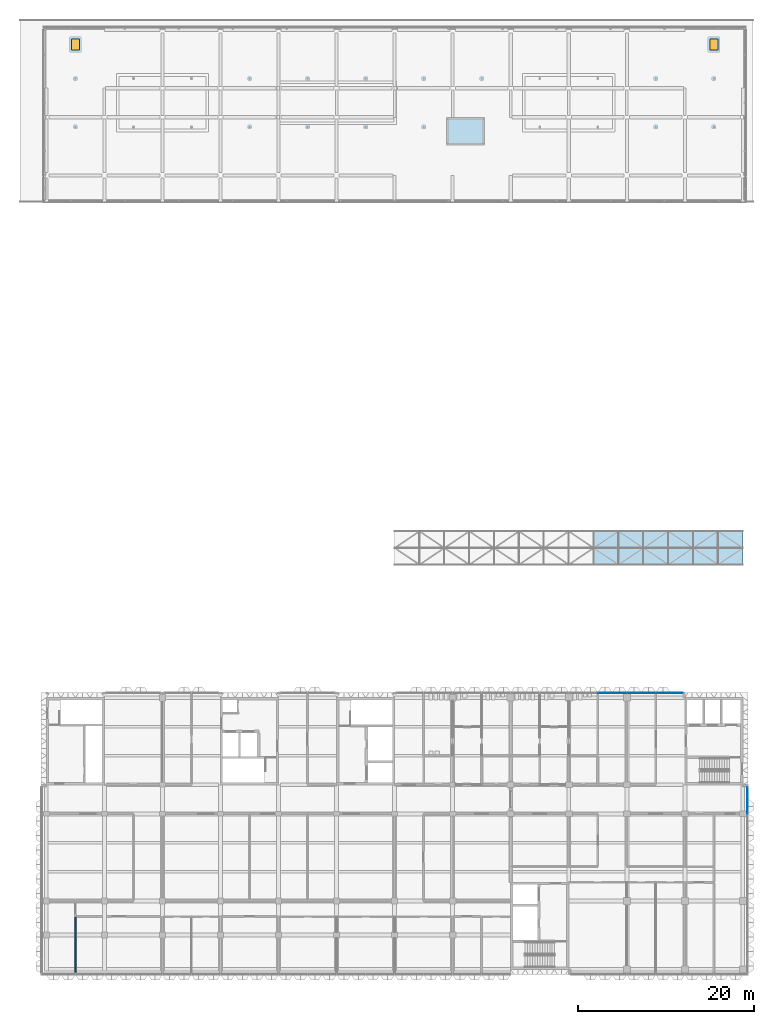
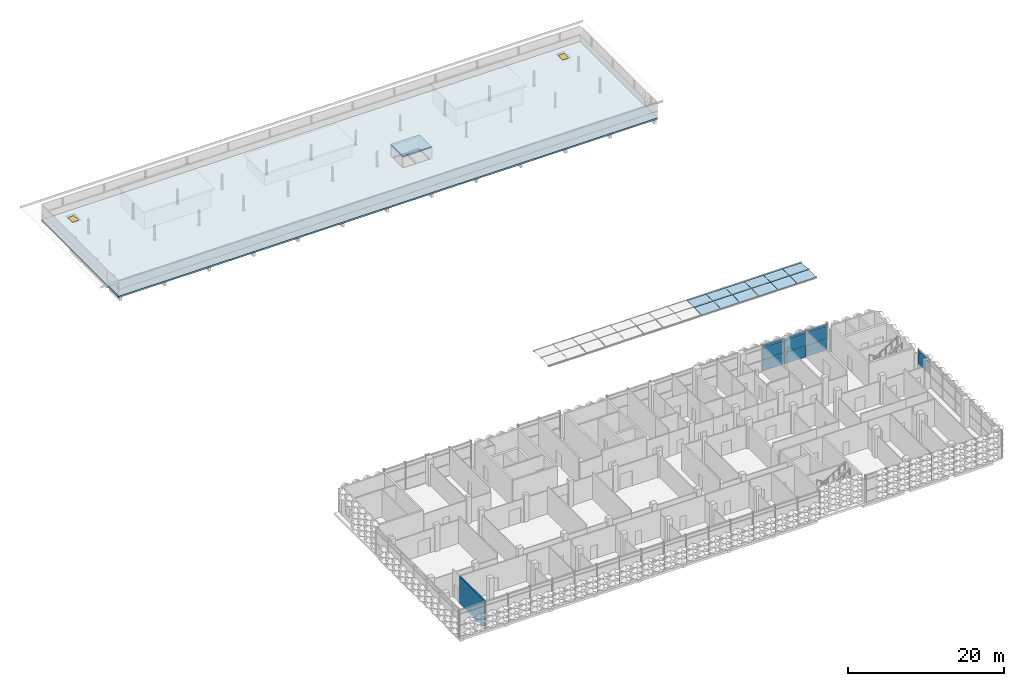
# One storey, part 17 of 61: 23 plates, 2 slabs, 2 windows, 1 wall, 2 openings, 2 elements without a shape of their own.
"""IFC4 building model written with IfcOpenShell, lengths in metres."""

from ifc_helpers import new_model, si_unit, direction, frame, frame_2d, origin, origin_2d, place, context, subcontext, project, spatial, polyline, rectangle, outline, extrude, material, layer, layer_set, type_object, element, fill, aggregate, save


model = new_model("IFC4")

# Units and contexts
model_context = context("Model", 3, precision=1e-05, world=origin(), true_north=direction((0.0, 1.0)))
body_context = subcontext(model_context, "Body", "Model", "MODEL_VIEW")
ifc_project = project(units=[si_unit("LENGTHUNIT", "METRE"), si_unit("AREAUNIT", "SQUARE_METRE"), si_unit("VOLUMEUNIT", "CUBIC_METRE"), si_unit("PLANEANGLEUNIT", "RADIAN"), si_unit("MASSUNIT", "GRAM", prefix="KILO")], contexts=[model_context])

# Site, building, storey
site_placement = place(None, origin())
site = spatial("IfcSite", under=ifc_project, at=site_placement, CompositionType="ELEMENT")
building_placement = place(site_placement, origin())
building = spatial("IfcBuilding", under=site, at=building_placement, Name="Lantern Court Research Institute", CompositionType="ELEMENT")
storey_placement = place(building_placement, frame((0.0, 0.0, 23.39990234375)))
storey = spatial("IfcBuildingStorey", under=building, at=storey_placement, Name="L05", CompositionType="ELEMENT", Elevation=23.39990234375)

# Plates
ifc_material_1 = material(Name="Laminated low-emissivity glass", Category="glass")
ifc_layer_1 = layer(ifc_material_1, 0.035888671875)
ifc_layer_set_1 = layer_set([ifc_layer_1], Name="Laminated low-emissivity glass")
plate_type_1 = type_object("IfcPlateType", Name="Gridshell roof glazing panel 36", PredefinedType="SHEET", material=ifc_layer_set_1)
for number, where, z_axis, x_axis, name in (
    (1, (65.047119140625, 38.233154296875, 0.140869140625), (0.0, -0.050319241088, 0.998733184578), (-1.0, 0.0, 0.0), "Roof glazing panel"),
    (2, (65.047119140625, 40.13671875, 0.235595703125), (0.0, 0.050319241088, 0.998733184578), (-1.0, 0.0, 0.0), "Roof glazing panel"),
    (3, (67.875732421875, 38.233154296875, 0.140869140625), (0.0, -0.050319241088, 0.998733184578), (-1.0, 0.0, 0.0), "Roof glazing panel"),
    (4, (67.875732421875, 40.13671875, 0.235595703125), (0.0, 0.050319241088, 0.998733184578), (-1.0, 0.0, 0.0), "Roof glazing panel"),
    (5, (70.704345703125, 38.233154296875, 0.140869140625), (0.0, -0.050319241088, 0.998733184578), (-1.0, 0.0, 0.0), "Roof glazing panel"),
    (6, (70.704345703125, 40.13671875, 0.235595703125), (0.0, 0.050319241088, 0.998733184578), (-1.0, 0.0, 0.0), "Roof glazing panel"),
    (7, (73.532958984375, 38.233154296875, 0.140869140625), (0.0, -0.050319241088, 0.998733184578), (-1.0, 0.0, 0.0), "Roof glazing panel"),
    (8, (73.532958984375, 40.13671875, 0.235595703125), (0.0, 0.050319241088, 0.998733184578), (-1.0, 0.0, 0.0), "Roof glazing panel"),
):
    element("IfcPlate", number, at=place(storey_placement, frame(where, z_axis=z_axis, x_axis=x_axis)), inside=storey, type_object=plate_type_1, Name=name, PredefinedType="SHEET", context=body_context, shape_type="SweptSolid", body=[
        extrude(outline(polyline([(0.0, 0.0), (2.80859375, 0.0), (2.80859375, -1.8825117480404105), (0.0, -1.8825117480404105), (0.0, 0.0)])), origin(), (0.0, 0.0, -1.0), 0.035888671875),
    ])
for number, where, z_axis, x_axis, name in (
    (9, (76.361328125, 38.233154296875, 0.140869140625), (0.0, -0.050319241088, 0.998733184578), (-1.0, 0.0, 0.0), "Roof glazing panel"),
    (10, (76.361328125, 40.13671875, 0.235595703125), (0.0, 0.050319241088, 0.998733184578), (-1.0, 0.0, 0.0), "Roof glazing panel"),
):
    element("IfcPlate", number, at=place(storey_placement, frame(where, z_axis=z_axis, x_axis=x_axis)), inside=storey, type_object=plate_type_1, Name=name, PredefinedType="SHEET", context=body_context, shape_type="SweptSolid", body=[
        extrude(outline(polyline([(0.0, 0.0), (2.808349609375, 0.0), (2.808349609375, -1.8825117480404108), (0.0, -1.8825117480404108), (0.0, 0.0)])), origin(), (0.0, 0.0, -1.0), 0.035888671875),
    ])
for number, where, z_axis, x_axis, name in (
    (11, (79.18994140625, 38.233154296875, 0.140869140625), (0.0, -0.050319241088, 0.998733184578), (-1.0, 0.0, 0.0), "Roof glazing panel"),
    (12, (79.18994140625, 40.13671875, 0.235595703125), (0.0, 0.050319241088, 0.998733184578), (-1.0, 0.0, 0.0), "Roof glazing panel"),
):
    element("IfcPlate", number, at=place(storey_placement, frame(where, z_axis=z_axis, x_axis=x_axis)), inside=storey, type_object=plate_type_1, Name=name, PredefinedType="SHEET", context=body_context, shape_type="SweptSolid", body=[
        extrude(outline(polyline([(0.0, 0.0), (2.80859375, 0.0), (2.80859375, -1.8825117480404105), (0.0, -1.8825117480404105), (0.0, 0.0)])), origin(), (0.0, 0.0, -1.0), 0.035888671875),
    ])

# Curtain wall, plates
ifc_material_2 = material(Name="Aluminium alloy 6063-T6", Category="aluminium")
curtain_wall_type_1 = type_object("IfcCurtainWallType", Name="Curtain wall 19600 x 4200 x 150 aluminium frame", PredefinedType="NOTDEFINED", material=ifc_material_2)
curtain_wall_1_placement = place(storey_placement, origin())
curtain_wall_1 = element("IfcCurtainWall", 13, at=curtain_wall_1_placement, inside=storey, type_object=curtain_wall_type_1, Name="Curtain wall CW075", PredefinedType="NOTDEFINED")
ifc_material_3 = material(Name="Insulated aluminium spandrel panel", Category="aluminium")
ifc_layer_2 = layer(ifc_material_3, 0.06005859375)
ifc_layer_set_2 = layer_set([ifc_layer_2], Name="Insulated aluminium spandrel panel")
plate_type_2 = type_object("IfcPlateType", Name="Insulated spandrel panel 60 mm", PredefinedType="CURTAIN_PANEL", material=ifc_layer_set_2)
plate_1_placement = place(storey_placement, frame((64.35009765625, 23.625, 0.06005859375), z_axis=(0.0, 0.0, 1.0), x_axis=(1.0, 0.0, 0.0)))
plate_1 = element("IfcPlate", 14, at=plate_1_placement, type_object=plate_type_2, Name="CW075 spandrel panel 4.1", PredefinedType="CURTAIN_PANEL", context=body_context, shape_type="SweptSolid", body=[
    extrude(rectangle(XDim=3.239990234375, YDim=0.06005859375, at=origin_2d()), origin(), (0.0, 0.0, 1.0), 1.7099609375),
])
plate_2_placement = place(storey_placement, frame((67.64990234375, 23.625, 0.06005859375), z_axis=(0.0, 0.0, 1.0), x_axis=(1.0, 0.0, 0.0)))
plate_2 = element("IfcPlate", 15, at=plate_2_placement, type_object=plate_type_2, Name="CW075 spandrel panel 5.1", PredefinedType="CURTAIN_PANEL", context=body_context, shape_type="SweptSolid", body=[
    extrude(rectangle(XDim=3.239990234375, YDim=0.06005859375, at=origin_2d()), origin(), (0.0, 0.0, 1.0), 1.7099609375),
])
plate_3_placement = place(storey_placement, frame((70.8349609375, 23.625, 0.06005859375), z_axis=(0.0, 0.0, 1.0), x_axis=(1.0, 0.0, 0.0)))
plate_3 = element("IfcPlate", 16, at=plate_3_placement, type_object=plate_type_2, Name="CW075 spandrel panel 6.1", PredefinedType="CURTAIN_PANEL", context=body_context, shape_type="SweptSolid", body=[
    extrude(rectangle(XDim=3.010009765625, YDim=0.06005859375, at=origin_2d()), origin(), (0.0, 0.0, 1.0), 1.7099609375),
])
ifc_material_4 = material(Name="Laminated low-emissivity glass", Category="glass")
ifc_layer_3 = layer(ifc_material_4, 0.028076171875)
ifc_layer_set_3 = layer_set([ifc_layer_3], Name="Laminated low-emissivity glass")
plate_type_3 = type_object("IfcPlateType", Name="Laminated low-emissivity unit 28 mm", PredefinedType="CURTAIN_PANEL", material=ifc_layer_set_3)
plate_4_placement = place(storey_placement, frame((64.35009765625, 23.625, 1.830078125), z_axis=(0.0, 0.0, 1.0), x_axis=(1.0, 0.0, 0.0)))
plate_4 = element("IfcPlate", 17, at=plate_4_placement, type_object=plate_type_3, Name="CW075 glazed panel 4.2", PredefinedType="CURTAIN_PANEL", context=body_context, shape_type="SweptSolid", body=[
    extrude(rectangle(XDim=3.239990234375, YDim=0.028076171875, at=origin_2d()), origin(), (0.0, 0.0, 1.0), 1.739990234375),
])
plate_5_placement = place(storey_placement, frame((64.35009765625, 23.625, 3.6298828125), z_axis=(0.0, 0.0, 1.0), x_axis=(1.0, 0.0, 0.0)))
plate_5 = element("IfcPlate", 18, at=plate_5_placement, type_object=plate_type_3, Name="CW075 glazed panel 4.3", PredefinedType="CURTAIN_PANEL", context=body_context, shape_type="SweptSolid", body=[
    extrude(rectangle(XDim=3.239990234375, YDim=0.028076171875, at=origin_2d()), origin(), (0.0, 0.0, 1.0), 0.510009765625),
])
plate_6_placement = place(storey_placement, frame((67.64990234375, 23.625, 1.830078125), z_axis=(0.0, 0.0, 1.0), x_axis=(1.0, 0.0, 0.0)))
plate_6 = element("IfcPlate", 19, at=plate_6_placement, type_object=plate_type_3, Name="CW075 glazed panel 5.2", PredefinedType="CURTAIN_PANEL", context=body_context, shape_type="SweptSolid", body=[
    extrude(rectangle(XDim=3.239990234375, YDim=0.028076171875, at=origin_2d()), origin(), (0.0, 0.0, 1.0), 1.739990234375),
])
plate_7_placement = place(storey_placement, frame((67.64990234375, 23.625, 3.6298828125), z_axis=(0.0, 0.0, 1.0), x_axis=(1.0, 0.0, 0.0)))
plate_7 = element("IfcPlate", 20, at=plate_7_placement, type_object=plate_type_3, Name="CW075 glazed panel 5.3", PredefinedType="CURTAIN_PANEL", context=body_context, shape_type="SweptSolid", body=[
    extrude(rectangle(XDim=3.239990234375, YDim=0.028076171875, at=origin_2d()), origin(), (0.0, 0.0, 1.0), 0.510009765625),
])
plate_8_placement = place(storey_placement, frame((70.8349609375, 23.625, 1.830078125), z_axis=(0.0, 0.0, 1.0), x_axis=(1.0, 0.0, 0.0)))
plate_8 = element("IfcPlate", 21, at=plate_8_placement, type_object=plate_type_3, Name="CW075 glazed panel 6.2", PredefinedType="CURTAIN_PANEL", context=body_context, shape_type="SweptSolid", body=[
    extrude(rectangle(XDim=3.010009765625, YDim=0.028076171875, at=origin_2d()), origin(), (0.0, 0.0, 1.0), 1.739990234375),
])
plate_9_placement = place(storey_placement, frame((70.8349609375, 23.625, 3.6298828125), z_axis=(0.0, 0.0, 1.0), x_axis=(1.0, 0.0, 0.0)))
plate_9 = element("IfcPlate", 22, at=plate_9_placement, type_object=plate_type_3, Name="CW075 glazed panel 6.3", PredefinedType="CURTAIN_PANEL", context=body_context, shape_type="SweptSolid", body=[
    extrude(rectangle(XDim=3.010009765625, YDim=0.028076171875, at=origin_2d()), origin(), (0.0, 0.0, 1.0), 0.510009765625),
])
aggregate(curtain_wall_1, [plate_1, plate_4, plate_5, plate_2, plate_6, plate_7, plate_3, plate_8, plate_9])

# Slab
ifc_material_5 = material(Name="Concrete C35/45", Category="concrete")
ifc_layer_4 = layer(ifc_material_5, 0.199951171875)
ifc_layer_set_4 = layer_set([ifc_layer_4], Name="Concrete C35/45")
slab_type_1 = type_object("IfcSlabType", Name="RC lift overrun roof 200", PredefinedType="ROOF", material=ifc_layer_set_4)
slab_1_placement = place(storey_placement, frame((0.0, 0.0, 1.800048828125)))
element("IfcSlab", 23, at=slab_1_placement, inside=storey, type_object=slab_type_1, Name="Lift overrun roof of core WC-M", PredefinedType="ROOF", context=body_context, shape_type="SweptSolid", body=[
    extrude(outline(polyline([(45.5, 85.949951171875), (49.800048828125, 85.949951171875), (49.800048828125, 89.050048828125), (45.5, 89.050048828125), (45.5, 85.949951171875)])), origin(), (0.0, 0.0, 1.0), 0.199951171875),
])

# Slab, openings, windows
ifc_material_6 = material(Name="Concrete C35/45", Category="concrete")
ifc_layer_5 = layer(ifc_material_6, 0.25)
ifc_layer_set_5 = layer_set([ifc_layer_5], Name="Concrete C35/45")
slab_type_2 = type_object("IfcSlabType", Name="RC roof slab 250", PredefinedType="ROOF", material=ifc_layer_set_5)
slab_2_placement = place(storey_placement, frame((0.0, 0.0, -0.25)))
slab_2 = element("IfcSlab", 24, at=slab_2_placement, inside=storey, type_object=slab_type_2, Name="Roof slab L05 Write-up and Seminar Wing", PredefinedType="ROOF", context=body_context, shape_type="SweptSolid", body=[
    extrude(outline(polyline([(-0.300048828125, 99.0), (-0.300048828125, 82.5), (-0.300048828125, 82.199951171875), (-0.300048828125, 79.5), (79.5, 79.5), (79.5, 82.199951171875), (79.5, 82.5), (79.5, 99.0), (79.5, 99.300048828125), (-0.300048828125, 99.300048828125), (-0.300048828125, 99.0)]), holes=[polyline([(47.800048828125, 86.14990234375), (49.60009765625, 86.14990234375), (49.60009765625, 88.85009765625), (47.800048828125, 88.85009765625), (47.800048828125, 86.14990234375)]), polyline([(45.699951171875, 86.14990234375), (47.60009765625, 86.14990234375), (47.60009765625, 88.85009765625), (45.699951171875, 88.85009765625), (45.699951171875, 86.14990234375)]), polyline([(3.75, 96.77490234375), (3.75, 97.97509765625), (2.85009765625, 97.97509765625), (2.85009765625, 96.77490234375), (3.75, 96.77490234375)]), polyline([(76.35009765625, 96.77490234375), (76.35009765625, 97.97509765625), (75.449951171875, 97.97509765625), (75.449951171875, 96.77490234375), (76.35009765625, 96.77490234375)])]), origin(), (0.0, 0.0, 1.0), 0.25),
])
opening_1_placement = place(slab_2_placement, frame((3.300048828125, 97.375, 0.0)))
opening_1 = element("IfcOpeningElement", 25, at=opening_1_placement, cuts=slab_2, Name="Opening RH02", PredefinedType="OPENING", context=body_context, shape_type="SweptSolid", body=[
    extrude(rectangle(XDim=0.89990234375, YDim=1.199951171875, at=origin_2d()), origin(), (0.0, 0.0, 1.0), 0.25),
])
opening_2_placement = place(slab_2_placement, frame((75.89990234375, 97.375, 0.0)))
opening_2 = element("IfcOpeningElement", 26, at=opening_2_placement, cuts=slab_2, Name="Opening RH03", PredefinedType="OPENING", context=body_context, shape_type="SweptSolid", body=[
    extrude(rectangle(XDim=0.89990234375, YDim=1.199951171875, at=origin_2d()), origin(), (0.0, 0.0, 1.0), 0.25),
])
ifc_material_7 = material(Name="Aluminium frame with laminated low-emissivity glazing", Category="aluminium")
window_type = type_object("IfcWindowType", Name="Roof access hatch 900 x 1200", PartitioningType="SINGLE_PANEL", PredefinedType="SKYLIGHT", material=ifc_material_7)
window_1_placement = place(opening_1_placement, frame((0.0, 0.0, 0.199951171875)))
window_1 = element("IfcWindow", 27, at=window_1_placement, inside=storey, type_object=window_type, Name="Roof access hatch RH02", OverallHeight=1.199951171875, OverallWidth=0.89990234375, PartitioningType="SINGLE_PANEL", PredefinedType="SKYLIGHT", context=body_context, shape_type="SweptSolid", body=[
    extrude(rectangle(XDim=0.89990234375, YDim=1.199951171875, at=origin_2d()), origin(), (0.0, 0.0, 1.0), 0.050048828125),
])
fill(opening_1, window_1)
window_2_placement = place(opening_2_placement, frame((0.0, 0.0, 0.199951171875)))
window_2 = element("IfcWindow", 28, at=window_2_placement, inside=storey, type_object=window_type, Name="Roof access hatch RH03", OverallHeight=1.199951171875, OverallWidth=0.89990234375, PartitioningType="SINGLE_PANEL", PredefinedType="SKYLIGHT", context=body_context, shape_type="SweptSolid", body=[
    extrude(rectangle(XDim=0.89990234375, YDim=1.199951171875, at=origin_2d()), origin(), (0.0, 0.0, 1.0), 0.050048828125),
])
fill(opening_2, window_2)

# Curtain wall, plates
ifc_material_8 = material(Name="Aluminium alloy 6063-T6", Category="aluminium")
curtain_wall_type_2 = type_object("IfcCurtainWallType", Name="Curtain wall 21250 x 4200 x 150 aluminium frame", PredefinedType="NOTDEFINED", material=ifc_material_8)
curtain_wall_2_placement = place(storey_placement, origin())
curtain_wall_2 = element("IfcCurtainWall", 29, at=curtain_wall_2_placement, inside=storey, type_object=curtain_wall_type_2, Name="Curtain wall CW074", PredefinedType="NOTDEFINED")
ifc_material_9 = material(Name="Laminated low-emissivity glass", Category="glass")
ifc_layer_6 = layer(ifc_material_9, 0.035888671875)
ifc_layer_set_6 = layer_set([ifc_layer_6], Name="Laminated low-emissivity glass")
plate_type_4 = type_object("IfcPlateType", Name="Solar control laminated unit 36 mm", PredefinedType="CURTAIN_PANEL", material=ifc_layer_set_6)
plate_10_placement = place(storey_placement, frame((79.72509765625, 11.43505859375, 1.830078125), z_axis=(0.0, 0.0, 1.0), x_axis=(0.0, -1.0, 0.0)))
plate_10 = element("IfcPlate", 30, at=plate_10_placement, type_object=plate_type_4, Name="CW074 glazed panel 7.2", PredefinedType="CURTAIN_PANEL", context=body_context, shape_type="SweptSolid", body=[
    extrude(rectangle(XDim=3.010009765625, YDim=0.035888671875, at=origin_2d()), origin(), (0.0, 0.0, 1.0), 1.739990234375),
])
plate_11_placement = place(storey_placement, frame((79.72509765625, 11.43505859375, 3.6298828125), z_axis=(0.0, 0.0, 1.0), x_axis=(0.0, -1.0, 0.0)))
plate_11 = element("IfcPlate", 31, at=plate_11_placement, type_object=plate_type_4, Name="CW074 glazed panel 7.3", PredefinedType="CURTAIN_PANEL", context=body_context, shape_type="SweptSolid", body=[
    extrude(rectangle(XDim=3.010009765625, YDim=0.035888671875, at=origin_2d()), origin(), (0.0, 0.0, 1.0), 0.510009765625),
])
aggregate(curtain_wall_2, [plate_10, plate_11])

# Wall
ifc_material_10 = material(Name="Double-stud acoustic gypsum board partition, mineral wool filled")
ifc_layer_7 = layer(ifc_material_10, 0.175048828125)
ifc_layer_set_7 = layer_set([ifc_layer_7], Name="Double-stud acoustic gypsum board partition, mineral wool filled")
wall_type = type_object("IfcWallType", Name="Acoustic partition 175 EI 60", PredefinedType="PARTITIONING", material=ifc_layer_set_7)
wall_placement = place(storey_placement, frame((3.300048828125, -8.25, 0.0), z_axis=(0.0, 0.0, 1.0), x_axis=(0.0, 1.0, 0.0)))
element("IfcWall", 32, at=wall_placement, inside=storey, type_object=wall_type, Name="Acoustic partition 175 EI 60", PredefinedType="PARTITIONING", context=body_context, shape_type="SweptSolid", body=[
    extrude(rectangle(XDim=6.449951171875, YDim=0.175048828125, at=frame_2d((3.22509765625, 0.0))), origin(), (0.0, 0.0, 1.0), 4.25),
])

save(model, "model.ifc")
